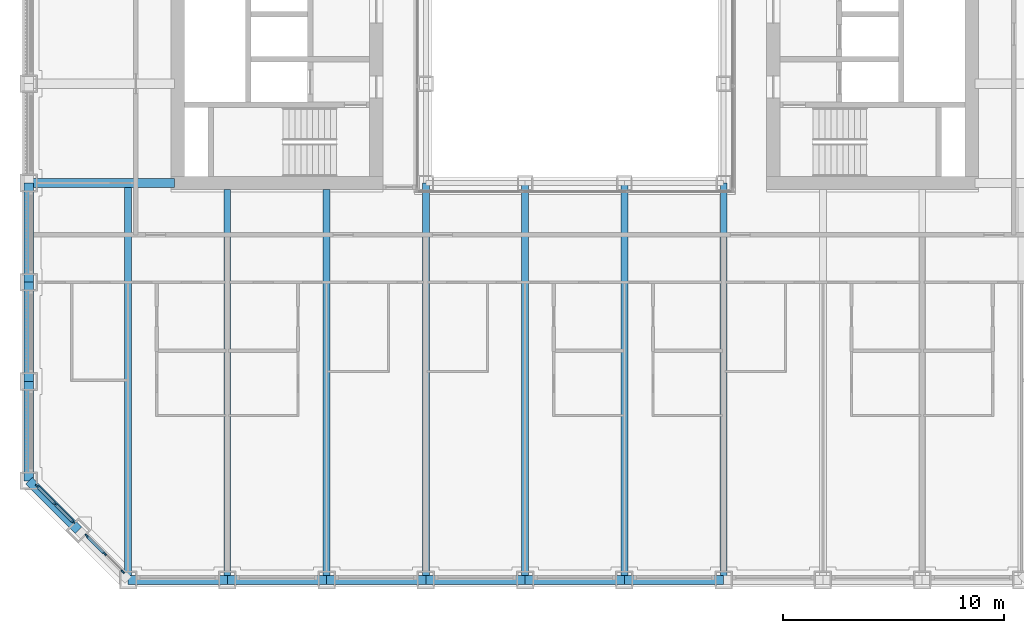
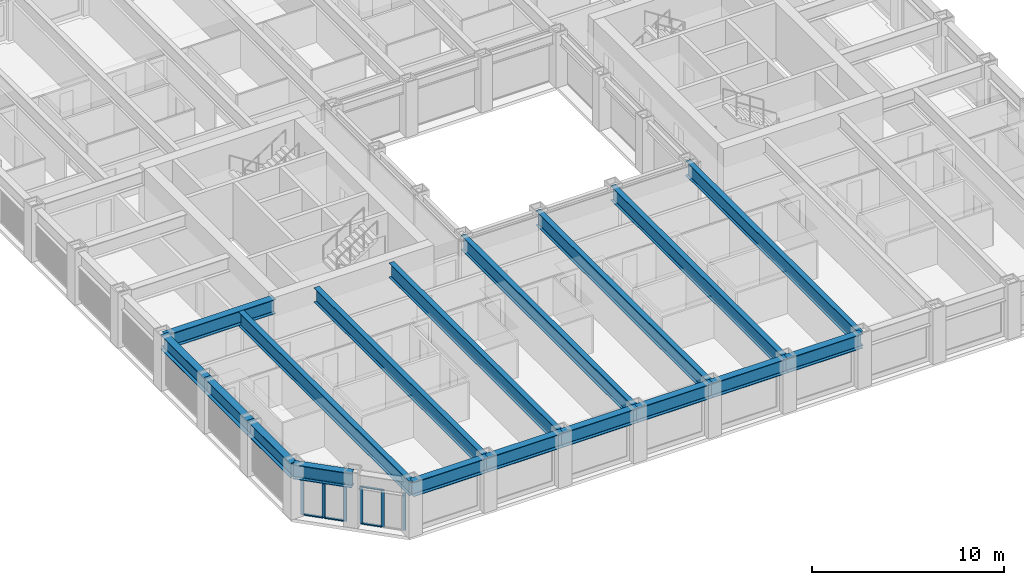
# One storey, part 2 of 21: 18 beams, 12 members, 2 elements without a shape of their own.
"""IFC4 building model written with IfcOpenShell, lengths in metres."""

from ifc_helpers import new_model, si_unit, direction, frame, origin, origin_2d, place, context, subcontext, project, spatial, rectangle, i_section, extrude, material, material_profile, profile_set, type_object, element, aggregate, save


model = new_model("IFC4")

# Units and contexts
model_context = context("Model", 3, precision=1e-05, world=origin(), true_north=direction((0.0, 1.0)))
body_context = subcontext(model_context, "Body", "Model", "MODEL_VIEW")
ifc_project = project(units=[si_unit("LENGTHUNIT", "METRE"), si_unit("AREAUNIT", "SQUARE_METRE"), si_unit("VOLUMEUNIT", "CUBIC_METRE"), si_unit("PLANEANGLEUNIT", "RADIAN"), si_unit("MASSUNIT", "GRAM", prefix="KILO")], contexts=[model_context])

# Site, building, storey
site_placement = place(None, origin())
site = spatial("IfcSite", under=ifc_project, at=site_placement, CompositionType="ELEMENT")
building_placement = place(site_placement, origin())
building = spatial("IfcBuilding", under=site, at=building_placement, Name="Msasa Ring Tower", CompositionType="ELEMENT")
storey_placement = place(building_placement, frame((0.0, 0.0, 54.5)))
storey = spatial("IfcBuildingStorey", under=building, at=storey_placement, Name="L13", CompositionType="ELEMENT", Elevation=54.5)

# Curtain wall, members
ifc_material_1 = material(Name="Aluminium curtain wall with clear glass", Category="aluminium")
curtain_wall_type = type_object("IfcCurtainWallType", Name="CW-C CHAMFER CORNER CURTAIN WALL", PredefinedType="NOTDEFINED", material=ifc_material_1)
curtain_wall_1_placement = place(storey_placement, origin())
curtain_wall_1 = element("IfcCurtainWall", 1, at=curtain_wall_1_placement, inside=storey, type_object=curtain_wall_type, Name="Chamfer corner curtain wall SW L13", PredefinedType="NOTDEFINED")
ifc_material_2 = material(Name="Aluminium mullion", Category="aluminium")
ifc_material_profile_1 = material_profile(ifc_material_2, rectangle(XDim=0.06494140625, YDim=0.179931640625, at=origin_2d()), Name="AL 65x180")
ifc_profile_set_1 = profile_set([ifc_material_profile_1], Name="Aluminium mullion")
member_type_1 = type_object("IfcMemberType", Name="CW-C MULLION 65x180", PredefinedType="MULLION", material=ifc_profile_set_1)
member_1_placement = place(storey_placement, frame((-24.369873046875, -20.48876953125, 0.0), z_axis=(0.0, 0.0, 1.0), x_axis=(0.707106781187, 0.707106781187, 0.0)))
member_1 = element("IfcMember", 2, at=member_1_placement, type_object=member_type_1, Name="CW-C mullion 1", PredefinedType="MULLION", context=body_context, shape_type="SweptSolid", body=[
    extrude(rectangle(XDim=0.06494140625, YDim=0.179931640625, at=origin_2d()), origin(), (0.0, 0.0, 1.0), 2.37890625),
])
member_2_placement = place(storey_placement, frame((-23.55419921875, -21.30419921875, 0.0), z_axis=(0.0, 0.0, 1.0), x_axis=(0.707106781187, 0.707106781187, 0.0)))
member_2 = element("IfcMember", 3, at=member_2_placement, type_object=member_type_1, Name="CW-C mullion 2", PredefinedType="MULLION", context=body_context, shape_type="SweptSolid", body=[
    extrude(rectangle(XDim=0.06494140625, YDim=0.179931640625, at=origin_2d()), origin(), (0.0, 0.0, 1.0), 2.37890625),
])
member_3_placement = place(storey_placement, frame((-22.73876953125, -22.119873046875, 0.0), z_axis=(0.0, 0.0, 1.0), x_axis=(0.707106781187, 0.707106781187, 0.0)))
member_3 = element("IfcMember", 4, at=member_3_placement, type_object=member_type_1, Name="CW-C mullion 3", PredefinedType="MULLION", context=body_context, shape_type="SweptSolid", body=[
    extrude(rectangle(XDim=0.06494140625, YDim=0.179931640625, at=origin_2d()), origin(), (0.0, 0.0, 1.0), 2.37890625),
])

curtain_wall_2_placement = place(storey_placement, origin())
curtain_wall_2 = element("IfcCurtainWall", 5, at=curtain_wall_2_placement, inside=storey, type_object=curtain_wall_type, Name="Chamfer corner curtain wall SW L13", PredefinedType="NOTDEFINED")
member_4_placement = place(storey_placement, frame((-22.119873046875, -22.73876953125, 0.0), z_axis=(0.0, 0.0, 1.0), x_axis=(0.707106781187, 0.707106781187, 0.0)))
member_4 = element("IfcMember", 6, at=member_4_placement, type_object=member_type_1, Name="CW-C mullion 1", PredefinedType="MULLION", context=body_context, shape_type="SweptSolid", body=[
    extrude(rectangle(XDim=0.06494140625, YDim=0.179931640625, at=origin_2d()), origin(), (0.0, 0.0, 1.0), 2.37890625),
])
member_5_placement = place(storey_placement, frame((-21.30419921875, -23.55419921875, 0.0), z_axis=(0.0, 0.0, 1.0), x_axis=(0.707106781187, 0.707106781187, 0.0)))
member_5 = element("IfcMember", 7, at=member_5_placement, type_object=member_type_1, Name="CW-C mullion 2", PredefinedType="MULLION", context=body_context, shape_type="SweptSolid", body=[
    extrude(rectangle(XDim=0.06494140625, YDim=0.179931640625, at=origin_2d()), origin(), (0.0, 0.0, 1.0), 2.37890625),
])
member_6_placement = place(storey_placement, frame((-20.48876953125, -24.369873046875, 0.0), z_axis=(0.0, 0.0, 1.0), x_axis=(0.707106781187, 0.707106781187, 0.0)))
member_6 = element("IfcMember", 8, at=member_6_placement, type_object=member_type_1, Name="CW-C mullion 3", PredefinedType="MULLION", context=body_context, shape_type="SweptSolid", body=[
    extrude(rectangle(XDim=0.06494140625, YDim=0.179931640625, at=origin_2d()), origin(), (0.0, 0.0, 1.0), 2.37890625),
])

# Member
ifc_material_3 = material(Name="Aluminium transom", Category="aluminium")
ifc_material_profile_2 = material_profile(ifc_material_3, rectangle(XDim=0.139892578125, YDim=0.06494140625, at=origin_2d()), Name="AL 65x140")
ifc_profile_set_2 = profile_set([ifc_material_profile_2], Name="Aluminium transom")
member_type_2 = type_object("IfcMemberType", Name="CW-C TRANSOM 65x140", PredefinedType="USERDEFINED", material=ifc_profile_set_2)
member_7_placement = place(storey_placement, frame((-24.346923828125, -20.51171875, 0.032470703125), z_axis=(0.707106781187, -0.707106781187, 0.0), x_axis=(0.707106781187, 0.707106781187, 0.0)))
member_7 = element("IfcMember", 9, at=member_7_placement, type_object=member_type_2, Name="CW-C transom 1.1", ObjectType="TRANSOM", PredefinedType="USERDEFINED", context=body_context, shape_type="SweptSolid", body=[
    extrude(rectangle(XDim=0.139892578125, YDim=0.06494140625, at=origin_2d()), origin(), (0.0, 0.0, 1.0), 1.08837890625),
])

member_8_placement = place(storey_placement, frame((-24.346923828125, -20.51171875, 2.346435546875), z_axis=(0.707106781187, -0.707106781187, 0.0), x_axis=(0.707106781187, 0.707106781187, 0.0)))
member_8 = element("IfcMember", 10, at=member_8_placement, type_object=member_type_2, Name="CW-C transom 1.2", ObjectType="TRANSOM", PredefinedType="USERDEFINED", context=body_context, shape_type="SweptSolid", body=[
    extrude(rectangle(XDim=0.139892578125, YDim=0.06494140625, at=origin_2d()), origin(), (0.0, 0.0, 1.0), 1.08837890625),
])

member_9_placement = place(storey_placement, frame((-23.53125, -21.327392578125, 0.032470703125), z_axis=(0.707106781187, -0.707106781187, 0.0), x_axis=(0.707106781187, 0.707106781187, 0.0)))
member_9 = element("IfcMember", 11, at=member_9_placement, type_object=member_type_2, Name="CW-C transom 2.1", ObjectType="TRANSOM", PredefinedType="USERDEFINED", context=body_context, shape_type="SweptSolid", body=[
    extrude(rectangle(XDim=0.139892578125, YDim=0.06494140625, at=origin_2d()), origin(), (0.0, 0.0, 1.0), 1.08837890625),
])

member_10_placement = place(storey_placement, frame((-23.53125, -21.327392578125, 2.346435546875), z_axis=(0.707106781187, -0.707106781187, 0.0), x_axis=(0.707106781187, 0.707106781187, 0.0)))
member_10 = element("IfcMember", 12, at=member_10_placement, type_object=member_type_2, Name="CW-C transom 2.2", ObjectType="TRANSOM", PredefinedType="USERDEFINED", context=body_context, shape_type="SweptSolid", body=[
    extrude(rectangle(XDim=0.139892578125, YDim=0.06494140625, at=origin_2d()), origin(), (0.0, 0.0, 1.0), 1.08837890625),
])

aggregate(curtain_wall_1, [member_1, member_2, member_3, member_7, member_8, member_9, member_10])

member_11_placement = place(storey_placement, frame((-22.096923828125, -22.76171875, 0.032470703125), z_axis=(0.707106781187, -0.707106781187, 0.0), x_axis=(0.707106781187, 0.707106781187, 0.0)))
member_11 = element("IfcMember", 13, at=member_11_placement, type_object=member_type_2, Name="CW-C transom 1.1", ObjectType="TRANSOM", PredefinedType="USERDEFINED", context=body_context, shape_type="SweptSolid", body=[
    extrude(rectangle(XDim=0.139892578125, YDim=0.06494140625, at=origin_2d()), origin(), (0.0, 0.0, 1.0), 1.08837890625),
])

member_12_placement = place(storey_placement, frame((-22.096923828125, -22.76171875, 2.346435546875), z_axis=(0.707106781187, -0.707106781187, 0.0), x_axis=(0.707106781187, 0.707106781187, 0.0)))
member_12 = element("IfcMember", 14, at=member_12_placement, type_object=member_type_2, Name="CW-C transom 1.2", ObjectType="TRANSOM", PredefinedType="USERDEFINED", context=body_context, shape_type="SweptSolid", body=[
    extrude(rectangle(XDim=0.139892578125, YDim=0.06494140625, at=origin_2d()), origin(), (0.0, 0.0, 1.0), 1.08837890625),
])

aggregate(curtain_wall_2, [member_4, member_5, member_6, member_11, member_12])

# Beams
ifc_material_4 = material(Name="Steel S355", Category="steel")
ifc_material_profile_3 = material_profile(ifc_material_4, i_section(OverallWidth=0.3076171875, OverallDepth=0.926513671875, WebThickness=0.01953125, FlangeThickness=0.031982421875, FilletRadius=0.01904296875, at=origin_2d()), Name="UB 914x305x289")
ifc_profile_set_3 = profile_set([ifc_material_profile_3], Name="Steel S355")
beam_type_1 = type_object("IfcBeamType", Name="FB3 UB 914x305x289", PredefinedType="BEAM", material=ifc_profile_set_3)
beam_1_placement = place(storey_placement, frame((-20.25, -24.75, 2.836669921875), z_axis=(0.0, 1.0, 0.0), x_axis=(-1.0, 0.0, 0.0)))
element("IfcBeam", 15, at=beam_1_placement, inside=storey, type_object=beam_type_1, Name="Floor beam S-20.25 under L14", PredefinedType="BEAM", context=body_context, shape_type="SweptSolid", body=[
    extrude(i_section(OverallWidth=0.3076171875, OverallDepth=0.926513671875, WebThickness=0.01953125, FlangeThickness=0.031982421875, FilletRadius=0.01904296875, at=origin_2d()), origin(), (0.0, 0.0, 1.0), 17.789794921875),
])
for number, where, z_axis, x_axis, name in (
    (16, (-15.75, -24.75, 2.836669921875), (0.0, 1.0, 0.0), (-1.0, 0.0, 0.0), "Floor beam S-15.75 under L14"),
    (17, (-11.25, -24.75, 2.836669921875), (0.0, 1.0, 0.0), (-1.0, 0.0, 0.0), "Floor beam S-11.25 under L14"),
):
    element("IfcBeam", number, at=place(storey_placement, frame(where, z_axis=z_axis, x_axis=x_axis)), inside=storey, type_object=beam_type_1, Name=name, PredefinedType="BEAM", context=body_context, shape_type="SweptSolid", body=[
        extrude(i_section(OverallWidth=0.3076171875, OverallDepth=0.926513671875, WebThickness=0.01953125, FlangeThickness=0.031982421875, FilletRadius=0.01904296875, at=origin_2d()), origin(), (0.0, 0.0, 1.0), 17.699951171875),
    ])
for number, where, z_axis, x_axis, name in (
    (18, (-6.75, -24.75, 2.836669921875), (0.0, 1.0, 0.0), (-1.0, 0.0, 0.0), "Floor beam S-6.75 under L14"),
    (19, (-2.25, -24.75, 2.836669921875), (0.0, 1.0, 0.0), (-1.0, 0.0, 0.0), "Floor beam S-2.25 under L14"),
    (20, (2.25, -24.75, 2.836669921875), (0.0, 1.0, 0.0), (-1.0, 0.0, 0.0), "Floor beam S+2.25 under L14"),
    (21, (6.75, -24.75, 2.836669921875), (0.0, 1.0, 0.0), (-1.0, 0.0, 0.0), "Floor beam S+6.75 under L14"),
):
    element("IfcBeam", number, at=place(storey_placement, frame(where, z_axis=z_axis, x_axis=x_axis)), inside=storey, type_object=beam_type_1, Name=name, PredefinedType="BEAM", context=body_context, shape_type="SweptSolid", body=[
        extrude(i_section(OverallWidth=0.3076171875, OverallDepth=0.926513671875, WebThickness=0.01953125, FlangeThickness=0.031982421875, FilletRadius=0.01904296875, at=origin_2d()), origin(), (0.0, 0.0, 1.0), 18.0),
    ])
ifc_material_5 = material(Name="Steel S355", Category="steel")
ifc_material_profile_4 = material_profile(ifc_material_5, i_section(OverallWidth=0.42041015625, OverallDepth=0.9208984375, WebThickness=0.021484375, FlangeThickness=0.03662109375, FilletRadius=0.024169921875, at=origin_2d()), Name="UB 914x419x388")
ifc_profile_set_4 = profile_set([ifc_material_profile_4], Name="Steel S355")
beam_type_2 = type_object("IfcBeamType", Name="GB1 UB 914x419x388", PredefinedType="BEAM", material=ifc_profile_set_4)
beam_2_placement = place(storey_placement, frame((-18.14990234375, -6.75, 2.839599609375), z_axis=(-1.0, 0.0, 0.0), x_axis=(0.0, -1.0, 0.0)))
element("IfcBeam", 22, at=beam_2_placement, inside=storey, type_object=beam_type_2, Name="Girder W -6.75 under L14", PredefinedType="BEAM", context=body_context, shape_type="SweptSolid", body=[
    extrude(i_section(OverallWidth=0.42041015625, OverallDepth=0.9208984375, WebThickness=0.021484375, FlangeThickness=0.03662109375, FilletRadius=0.024169921875, at=origin_2d()), origin(), (0.0, 0.0, 1.0), 6.60009765625),
])
ifc_material_6 = material(Name="Steel S355", Category="steel")
ifc_material_profile_5 = material_profile(ifc_material_6, i_section(OverallWidth=0.42041015625, OverallDepth=0.9208984375, WebThickness=0.021484375, FlangeThickness=0.03662109375, FilletRadius=0.024169921875, at=origin_2d()), Name="UB 914x419x388")
ifc_profile_set_5 = profile_set([ifc_material_profile_5], Name="Steel S355")
beam_type_3 = type_object("IfcBeamType", Name="SB1 UB 914x419x388", PredefinedType="SPANDREL", material=ifc_profile_set_5)
for number, where, z_axis, x_axis, name in (
    (23, (-24.75, -6.75, 2.839599609375), (0.0, -1.0, 0.0), (1.0, 0.0, 0.0), "Spandrel W-6.75 to W-11.25 under L14"),
    (24, (-24.75, -11.25, 2.839599609375), (0.0, -1.0, 0.0), (1.0, 0.0, 0.0), "Spandrel W-11.25 to W-15.75 under L14"),
    (25, (-24.75, -15.75, 2.839599609375), (0.0, -1.0, 0.0), (1.0, 0.0, 0.0), "Spandrel W-15.75 to W-20.25 under L14"),
):
    element("IfcBeam", number, at=place(storey_placement, frame(where, z_axis=z_axis, x_axis=x_axis)), inside=storey, type_object=beam_type_3, Name=name, PredefinedType="SPANDREL", context=body_context, shape_type="SweptSolid", body=[
        extrude(i_section(OverallWidth=0.42041015625, OverallDepth=0.9208984375, WebThickness=0.021484375, FlangeThickness=0.03662109375, FilletRadius=0.024169921875, at=origin_2d()), origin(), (0.0, 0.0, 1.0), 4.5),
    ])
beam_3_placement = place(storey_placement, frame((-24.75, -20.25, 2.839599609375), z_axis=(0.707106781187, -0.707106781187, 0.0), x_axis=(0.707106781187, 0.707106781187, 0.0)))
element("IfcBeam", 26, at=beam_3_placement, inside=storey, type_object=beam_type_3, Name="Spandrel W-20.25 to SW under L14", PredefinedType="SPANDREL", context=body_context, shape_type="SweptSolid", body=[
    extrude(i_section(OverallWidth=0.42041015625, OverallDepth=0.9208984375, WebThickness=0.021484375, FlangeThickness=0.03662109375, FilletRadius=0.024169921875, at=origin_2d()), origin(), (0.0, 0.0, 1.0), 3.181884765625),
])
for number, where, z_axis, x_axis, name in (
    (27, (-20.25, -24.75, 2.839599609375), (1.0, 0.0, 0.0), (0.0, 1.0, 0.0), "Spandrel S-20.25 to S-15.75 under L14"),
    (28, (-15.75, -24.75, 2.839599609375), (1.0, 0.0, 0.0), (0.0, 1.0, 0.0), "Spandrel S-15.75 to S-11.25 under L14"),
    (29, (-11.25, -24.75, 2.839599609375), (1.0, 0.0, 0.0), (0.0, 1.0, 0.0), "Spandrel S-11.25 to S-6.75 under L14"),
    (30, (-6.75, -24.75, 2.839599609375), (1.0, 0.0, 0.0), (0.0, 1.0, 0.0), "Spandrel S-6.75 to S-2.25 under L14"),
    (31, (-2.25, -24.75, 2.839599609375), (1.0, 0.0, 0.0), (0.0, 1.0, 0.0), "Spandrel S-2.25 to S+2.25 under L14"),
    (32, (2.25, -24.75, 2.839599609375), (1.0, 0.0, 0.0), (0.0, 1.0, 0.0), "Spandrel S+2.25 to S+6.75 under L14"),
):
    element("IfcBeam", number, at=place(storey_placement, frame(where, z_axis=z_axis, x_axis=x_axis)), inside=storey, type_object=beam_type_3, Name=name, PredefinedType="SPANDREL", context=body_context, shape_type="SweptSolid", body=[
        extrude(i_section(OverallWidth=0.42041015625, OverallDepth=0.9208984375, WebThickness=0.021484375, FlangeThickness=0.03662109375, FilletRadius=0.024169921875, at=origin_2d()), origin(), (0.0, 0.0, 1.0), 4.5),
    ])

save(model, "model.ifc")
